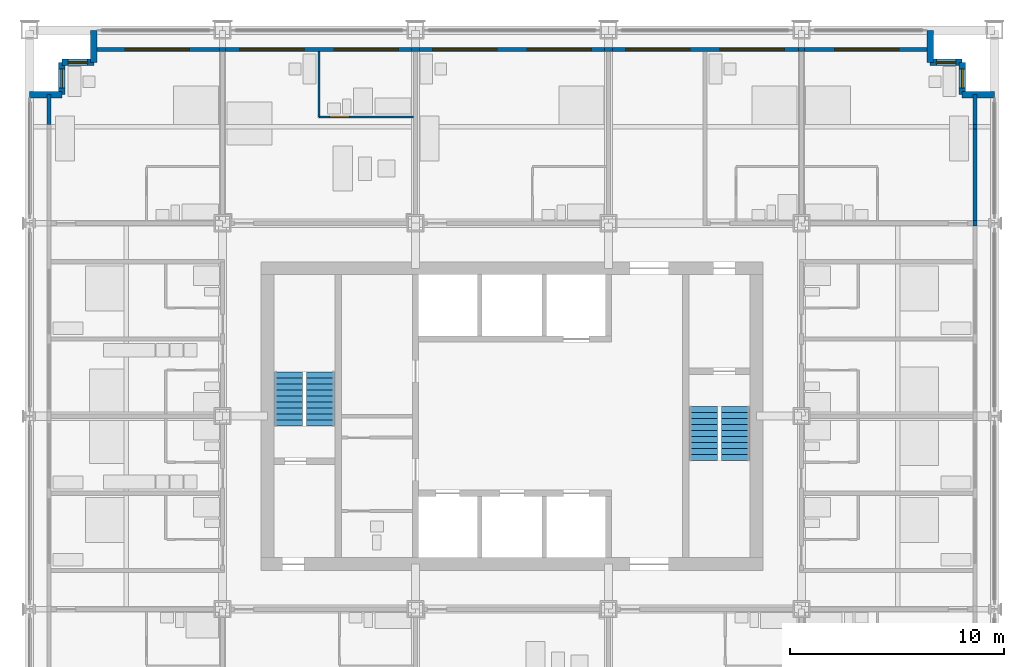
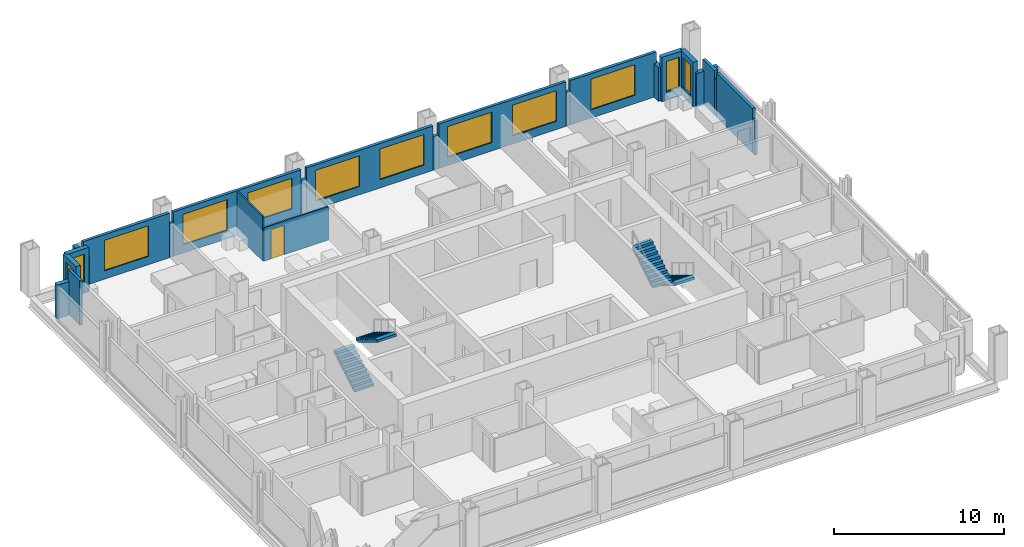
# One storey, part 13 of 16: 24 walls, 12 windows, 4 stair flights, 1 door, 13 openings, 2 elements without a shape of their own.
"""IFC4 building model written with IfcOpenShell, lengths in metres."""

from ifc_helpers import new_model, si_unit, direction, frame, frame_2d, origin, place, context, subcontext, project, spatial, polyline, rectangle, outline, extrude, material, layer, layer_set, type_object, element, fill, aggregate, save


model = new_model("IFC4")

# Units and contexts
model_context = context("Model", 3, precision=1e-05, world=origin(), true_north=direction((0.0, 1.0)))
body_context = subcontext(model_context, "Body", "Model", "MODEL_VIEW")
ifc_project = project(units=[si_unit("LENGTHUNIT", "METRE"), si_unit("AREAUNIT", "SQUARE_METRE"), si_unit("VOLUMEUNIT", "CUBIC_METRE"), si_unit("PLANEANGLEUNIT", "RADIAN"), si_unit("MASSUNIT", "GRAM", prefix="KILO")], contexts=[model_context])

# Site, building, storey
site_placement = place(None, origin())
site = spatial("IfcSite", under=ifc_project, at=site_placement, CompositionType="ELEMENT")
building_placement = place(site_placement, origin())
building = spatial("IfcBuilding", under=site, at=building_placement, Name="Loomwork Tower", CompositionType="ELEMENT")
storey_placement = place(building_placement, frame((0.0, 0.0, 114.60009765625)))
storey = spatial("IfcBuildingStorey", under=building, at=storey_placement, Name="L30", CompositionType="ELEMENT", Elevation=114.60009765625)

# Wall, opening, door
ifc_material_1 = material(Name="Cement board on steel studs", Category="steel")
ifc_layer_1 = layer(ifc_material_1, 0.10009765625)
ifc_layer_set_1 = layer_set([ifc_layer_1], Name="En-suite partition 100")
wall_type_1 = type_object("IfcWallType", Name="En-suite partition 100", PredefinedType="PARTITIONING", material=ifc_layer_set_1)
wall_1_placement = place(storey_placement, frame((13.5, 31.949951171875, 0.0), z_axis=(0.0, 0.0, 1.0), x_axis=(1.0, 0.0, 0.0)))
wall_1 = element("IfcWall", 1, at=wall_1_placement, inside=storey, type_object=wall_type_1, Name="Spa bathroom wall L30 room 7", PredefinedType="PARTITIONING", context=body_context, shape_type="SweptSolid", body=[
    extrude(rectangle(XDim=4.39990234375, YDim=0.10009765625, at=frame_2d((2.199951171875, 0.0))), origin(), (0.0, 0.0, 1.0), 2.40380859375),
])
opening_1_placement = place(wall_1_placement, frame((0.5, 0.0, 0.0)))
opening_1 = element("IfcOpeningElement", 2, at=opening_1_placement, cuts=wall_1, Name="Opening D2", PredefinedType="OPENING", context=body_context, shape_type="SweptSolid", body=[
    extrude(rectangle(XDim=0.89990234375, YDim=2.10009765625, at=frame_2d((0.449951171875, 1.050048828125))), frame((0.0, 0.06005859375, 0.0), z_axis=(0.0, -1.0, 0.0), x_axis=(1.0, 0.0, 0.0)), (0.0, 0.0, 1.0), 0.1201171875),
])
ifc_material_2 = material(Name="Hollow metal door and frame")
door_type = type_object("IfcDoorType", Name="En-suite door 900", OperationType="SINGLE_SWING_LEFT", PredefinedType="DOOR", material=ifc_material_2)
door_placement = place(opening_1_placement, origin())
door = element("IfcDoor", 3, at=door_placement, inside=storey, type_object=door_type, Name="Spa bathroom door room 7", OperationType="SINGLE_SWING_LEFT", OverallHeight=2.10009765625, OverallWidth=0.89990234375, PredefinedType="DOOR", context=body_context, shape_type="SweptSolid", body=[
    extrude(rectangle(XDim=0.89990234375, YDim=2.10009765625, at=frame_2d((0.449951171875, 1.050048828125))), frame((0.0, 0.02490234375, 0.0), z_axis=(0.0, -1.0, 0.0), x_axis=(1.0, 0.0, 0.0)), (0.0, 0.0, 1.0), 0.050048828125),
])
fill(opening_1, door)

# Wall
wall_2_placement = place(storey_placement, frame((13.5, 31.949951171875, 0.0), z_axis=(0.0, 0.0, 1.0), x_axis=(0.0, 1.0, 0.0)))
element("IfcWall", 4, at=wall_2_placement, inside=storey, type_object=wall_type_1, Name="Spa bathroom side wall L30 room 7", PredefinedType="PARTITIONING", context=body_context, shape_type="SweptSolid", body=[
    extrude(rectangle(XDim=3.050048828125, YDim=0.10009765625, at=frame_2d((1.52490234375, 0.0))), origin(), (0.0, 0.0, 1.0), 3.199951171875),
])

# Wall, opening, window
ifc_material_3 = material(Name="Insulated steel stud wall with gypsum lining", Category="steel")
ifc_layer_2 = layer(ifc_material_3, 0.199951171875)
ifc_layer_set_2 = layer_set([ifc_layer_2], Name="Inner skin wall 200")
wall_type_2 = type_object("IfcWallType", Name="Inner skin wall 200", PredefinedType="SOLIDWALL", material=ifc_layer_set_2)
wall_3_placement = place(storey_placement, frame((3.0, 35.10009765625, 0.0), z_axis=(0.0, 0.0, 1.0), x_axis=(1.0, 0.0, 0.0)))
wall_3 = element("IfcWall", 5, at=wall_3_placement, inside=storey, type_object=wall_type_2, Name="Inner skin wall N", PredefinedType="SOLIDWALL", context=body_context, shape_type="SweptSolid", body=[
    extrude(rectangle(XDim=5.86474609375, YDim=0.199951171875, at=frame_2d((2.932373046875, 0.0))), origin(), (0.0, 0.0, 1.0), 3.199951171875),
])
opening_2_placement = place(wall_3_placement, frame((1.449951171875, 0.0, 0.60009765625)))
opening_2 = element("IfcOpeningElement", 6, at=opening_2_placement, cuts=wall_3, Name="Opening CH1", PredefinedType="OPENING", context=body_context, shape_type="SweptSolid", body=[
    extrude(rectangle(XDim=3.0, YDim=2.199951171875, at=frame_2d((1.5, 1.10009765625))), frame((0.0, 0.10986328125, 0.0), z_axis=(0.0, -1.0, 0.0), x_axis=(1.0, 0.0, 0.0)), (0.0, 0.0, 1.0), 0.219970703125),
])
ifc_material_4 = material(Name="Aluminium frame with clear insulated glass", Category="aluminium")
window_type_1 = type_object("IfcWindowType", Name="Chicago window 3000", PartitioningType="TRIPLE_PANEL_VERTICAL", PredefinedType="WINDOW", material=ifc_material_4)
window_1_placement = place(opening_2_placement, origin())
window_1 = element("IfcWindow", 7, at=window_1_placement, inside=storey, type_object=window_type_1, Name="Chicago window L30 bay 6", OverallHeight=2.199951171875, OverallWidth=3.0, PartitioningType="TRIPLE_PANEL_VERTICAL", PredefinedType="WINDOW", context=body_context, shape_type="SweptSolid", body=[
    extrude(rectangle(XDim=3.0, YDim=2.199951171875, at=frame_2d((1.5, 1.10009765625))), frame((0.0, 0.030029296875, 0.0), z_axis=(0.0, -1.0, 0.0), x_axis=(1.0, 0.0, 0.0)), (0.0, 0.0, 1.0), 0.06005859375),
])
fill(opening_2, window_1)

# Walls
wall_4_placement = place(storey_placement, frame((0.89990234375, 31.607421875, 0.0), z_axis=(0.0, 0.0, 1.0), x_axis=(0.0, 1.0, 0.0)))
element("IfcWall", 8, at=wall_4_placement, inside=storey, type_object=wall_type_2, Name="Inner skin wall W bay 11", PredefinedType="SOLIDWALL", context=body_context, shape_type="SweptSolid", body=[
    extrude(rectangle(XDim=1.392578125, YDim=0.199951171875, at=frame_2d((0.6962890625, 0.0))), origin(), (0.0, 0.0, 1.0), 3.199951171875),
])
wall_5_placement = place(storey_placement, frame((8.86474609375, 35.10009765625, 0.0), z_axis=(0.0, 0.0, 1.0), x_axis=(1.0, 0.0, 0.0)))
element("IfcWall", 9, at=wall_5_placement, inside=storey, type_object=wall_type_2, Name="Inner skin wall N bay 2", PredefinedType="SOLIDWALL", context=body_context, shape_type="SweptSolid", body=[
    extrude(rectangle(XDim=0.2705078125, YDim=0.199951171875, at=frame_2d((0.13525390625, 0.0))), origin(), (0.0, 0.0, 1.0), 2.43798828125),
])

# Wall, openings, windows
wall_6_placement = place(storey_placement, frame((9.13525390625, 35.10009765625, 0.0), z_axis=(0.0, 0.0, 1.0), x_axis=(1.0, 0.0, 0.0)))
wall_6 = element("IfcWall", 10, at=wall_6_placement, inside=storey, type_object=wall_type_2, Name="Inner skin wall N bay 3", PredefinedType="SOLIDWALL", context=body_context, shape_type="SweptSolid", body=[
    extrude(rectangle(XDim=8.6708984375, YDim=0.199951171875, at=frame_2d((4.33544921875, 0.0))), origin(), (0.0, 0.0, 1.0), 3.199951171875),
])
opening_3_placement = place(wall_6_placement, frame((0.664794921875, 0.0, 0.60009765625)))
opening_3 = element("IfcOpeningElement", 11, at=opening_3_placement, cuts=wall_6, Name="Opening CH1", PredefinedType="OPENING", context=body_context, shape_type="SweptSolid", body=[
    extrude(rectangle(XDim=3.0, YDim=2.199951171875, at=frame_2d((1.5, 1.10009765625))), frame((0.0, 0.10986328125, 0.0), z_axis=(0.0, -1.0, 0.0), x_axis=(1.0, 0.0, 0.0)), (0.0, 0.0, 1.0), 0.219970703125),
])
opening_4_placement = place(wall_6_placement, frame((5.064697265625, 0.0, 0.60009765625)))
opening_4 = element("IfcOpeningElement", 12, at=opening_4_placement, cuts=wall_6, Name="Opening CH1", PredefinedType="OPENING", context=body_context, shape_type="SweptSolid", body=[
    extrude(rectangle(XDim=3.0, YDim=2.199951171875, at=frame_2d((1.5, 1.10009765625))), frame((0.0, 0.10986328125, 0.0), z_axis=(0.0, -1.0, 0.0), x_axis=(1.0, 0.0, 0.0)), (0.0, 0.0, 1.0), 0.219970703125),
])
window_2_placement = place(opening_3_placement, origin())
window_2 = element("IfcWindow", 13, at=window_2_placement, inside=storey, type_object=window_type_1, Name="Chicago window L30 bay 7", OverallHeight=2.199951171875, OverallWidth=3.0, PartitioningType="TRIPLE_PANEL_VERTICAL", PredefinedType="WINDOW", context=body_context, shape_type="SweptSolid", body=[
    extrude(rectangle(XDim=3.0, YDim=2.199951171875, at=frame_2d((1.5, 1.10009765625))), frame((0.0, 0.030029296875, 0.0), z_axis=(0.0, -1.0, 0.0), x_axis=(1.0, 0.0, 0.0)), (0.0, 0.0, 1.0), 0.06005859375),
])
fill(opening_3, window_2)
window_3_placement = place(opening_4_placement, origin())
window_3 = element("IfcWindow", 14, at=window_3_placement, inside=storey, type_object=window_type_1, Name="Chicago window L30 bay 7", OverallHeight=2.199951171875, OverallWidth=3.0, PartitioningType="TRIPLE_PANEL_VERTICAL", PredefinedType="WINDOW", context=body_context, shape_type="SweptSolid", body=[
    extrude(rectangle(XDim=3.0, YDim=2.199951171875, at=frame_2d((1.5, 1.10009765625))), frame((0.0, 0.030029296875, 0.0), z_axis=(0.0, -1.0, 0.0), x_axis=(1.0, 0.0, 0.0)), (0.0, 0.0, 1.0), 0.06005859375),
])
fill(opening_4, window_3)

# Wall
wall_7_placement = place(storey_placement, frame((17.80615234375, 35.10009765625, 0.0), z_axis=(0.0, 0.0, 1.0), x_axis=(1.0, 0.0, 0.0)))
element("IfcWall", 15, at=wall_7_placement, inside=storey, type_object=wall_type_2, Name="Inner skin wall N bay 4", PredefinedType="SOLIDWALL", context=body_context, shape_type="SweptSolid", body=[
    extrude(rectangle(XDim=0.3876953125, YDim=0.199951171875, at=frame_2d((0.19384765625, 0.0))), origin(), (0.0, 0.0, 1.0), 2.40380859375),
])

# Wall, openings, windows
wall_8_placement = place(storey_placement, frame((18.19384765625, 35.10009765625, 0.0), z_axis=(0.0, 0.0, 1.0), x_axis=(1.0, 0.0, 0.0)))
wall_8 = element("IfcWall", 16, at=wall_8_placement, inside=storey, type_object=wall_type_2, Name="Inner skin wall N bay 5", PredefinedType="SOLIDWALL", context=body_context, shape_type="SweptSolid", body=[
    extrude(rectangle(XDim=8.6123046875, YDim=0.199951171875, at=frame_2d((4.30615234375, 0.0))), origin(), (0.0, 0.0, 1.0), 3.199951171875),
])
opening_5_placement = place(wall_8_placement, frame((0.606201171875, 0.0, 0.60009765625)))
opening_5 = element("IfcOpeningElement", 17, at=opening_5_placement, cuts=wall_8, Name="Opening CH1", PredefinedType="OPENING", context=body_context, shape_type="SweptSolid", body=[
    extrude(rectangle(XDim=3.0, YDim=2.199951171875, at=frame_2d((1.5, 1.10009765625))), frame((0.0, 0.10986328125, 0.0), z_axis=(0.0, -1.0, 0.0), x_axis=(1.0, 0.0, 0.0)), (0.0, 0.0, 1.0), 0.219970703125),
])
opening_6_placement = place(wall_8_placement, frame((5.006103515625, 0.0, 0.60009765625)))
opening_6 = element("IfcOpeningElement", 18, at=opening_6_placement, cuts=wall_8, Name="Opening CH1", PredefinedType="OPENING", context=body_context, shape_type="SweptSolid", body=[
    extrude(rectangle(XDim=3.0, YDim=2.199951171875, at=frame_2d((1.5, 1.10009765625))), frame((0.0, 0.10986328125, 0.0), z_axis=(0.0, -1.0, 0.0), x_axis=(1.0, 0.0, 0.0)), (0.0, 0.0, 1.0), 0.219970703125),
])
window_4_placement = place(opening_5_placement, origin())
window_4 = element("IfcWindow", 19, at=window_4_placement, inside=storey, type_object=window_type_1, Name="Chicago window L30 bay 8", OverallHeight=2.199951171875, OverallWidth=3.0, PartitioningType="TRIPLE_PANEL_VERTICAL", PredefinedType="WINDOW", context=body_context, shape_type="SweptSolid", body=[
    extrude(rectangle(XDim=3.0, YDim=2.199951171875, at=frame_2d((1.5, 1.10009765625))), frame((0.0, 0.030029296875, 0.0), z_axis=(0.0, -1.0, 0.0), x_axis=(1.0, 0.0, 0.0)), (0.0, 0.0, 1.0), 0.06005859375),
])
fill(opening_5, window_4)
window_5_placement = place(opening_6_placement, origin())
window_5 = element("IfcWindow", 20, at=window_5_placement, inside=storey, type_object=window_type_1, Name="Chicago window L30 bay 8", OverallHeight=2.199951171875, OverallWidth=3.0, PartitioningType="TRIPLE_PANEL_VERTICAL", PredefinedType="WINDOW", context=body_context, shape_type="SweptSolid", body=[
    extrude(rectangle(XDim=3.0, YDim=2.199951171875, at=frame_2d((1.5, 1.10009765625))), frame((0.0, 0.030029296875, 0.0), z_axis=(0.0, -1.0, 0.0), x_axis=(1.0, 0.0, 0.0)), (0.0, 0.0, 1.0), 0.06005859375),
])
fill(opening_6, window_5)

# Wall
wall_9_placement = place(storey_placement, frame((26.80615234375, 35.10009765625, 0.0), z_axis=(0.0, 0.0, 1.0), x_axis=(1.0, 0.0, 0.0)))
element("IfcWall", 21, at=wall_9_placement, inside=storey, type_object=wall_type_2, Name="Inner skin wall N bay 6", PredefinedType="SOLIDWALL", context=body_context, shape_type="SweptSolid", body=[
    extrude(rectangle(XDim=0.3876953125, YDim=0.199951171875, at=frame_2d((0.19384765625, 0.0))), origin(), (0.0, 0.0, 1.0), 2.40380859375),
])

# Wall, openings, windows
wall_10_placement = place(storey_placement, frame((27.19384765625, 35.10009765625, 0.0), z_axis=(0.0, 0.0, 1.0), x_axis=(1.0, 0.0, 0.0)))
wall_10 = element("IfcWall", 22, at=wall_10_placement, inside=storey, type_object=wall_type_2, Name="Inner skin wall N bay 7", PredefinedType="SOLIDWALL", context=body_context, shape_type="SweptSolid", body=[
    extrude(rectangle(XDim=8.670654296875, YDim=0.199951171875, at=frame_2d((4.33544921875, 0.0))), origin(), (0.0, 0.0, 1.0), 3.199951171875),
])
opening_7_placement = place(wall_10_placement, frame((0.606201171875, 0.0, 0.60009765625)))
opening_7 = element("IfcOpeningElement", 23, at=opening_7_placement, cuts=wall_10, Name="Opening CH1", PredefinedType="OPENING", context=body_context, shape_type="SweptSolid", body=[
    extrude(rectangle(XDim=3.0, YDim=2.199951171875, at=frame_2d((1.5, 1.10009765625))), frame((0.0, 0.10986328125, 0.0), z_axis=(0.0, -1.0, 0.0), x_axis=(1.0, 0.0, 0.0)), (0.0, 0.0, 1.0), 0.219970703125),
])
opening_8_placement = place(wall_10_placement, frame((5.006103515625, 0.0, 0.60009765625)))
opening_8 = element("IfcOpeningElement", 24, at=opening_8_placement, cuts=wall_10, Name="Opening CH1", PredefinedType="OPENING", context=body_context, shape_type="SweptSolid", body=[
    extrude(rectangle(XDim=3.0, YDim=2.199951171875, at=frame_2d((1.5, 1.10009765625))), frame((0.0, 0.10986328125, 0.0), z_axis=(0.0, -1.0, 0.0), x_axis=(1.0, 0.0, 0.0)), (0.0, 0.0, 1.0), 0.219970703125),
])
window_6_placement = place(opening_7_placement, origin())
window_6 = element("IfcWindow", 25, at=window_6_placement, inside=storey, type_object=window_type_1, Name="Chicago window L30 bay 9", OverallHeight=2.199951171875, OverallWidth=3.0, PartitioningType="TRIPLE_PANEL_VERTICAL", PredefinedType="WINDOW", context=body_context, shape_type="SweptSolid", body=[
    extrude(rectangle(XDim=3.0, YDim=2.199951171875, at=frame_2d((1.5, 1.10009765625))), frame((0.0, 0.030029296875, 0.0), z_axis=(0.0, -1.0, 0.0), x_axis=(1.0, 0.0, 0.0)), (0.0, 0.0, 1.0), 0.06005859375),
])
fill(opening_7, window_6)
window_7_placement = place(opening_8_placement, origin())
window_7 = element("IfcWindow", 26, at=window_7_placement, inside=storey, type_object=window_type_1, Name="Chicago window L30 bay 9", OverallHeight=2.199951171875, OverallWidth=3.0, PartitioningType="TRIPLE_PANEL_VERTICAL", PredefinedType="WINDOW", context=body_context, shape_type="SweptSolid", body=[
    extrude(rectangle(XDim=3.0, YDim=2.199951171875, at=frame_2d((1.5, 1.10009765625))), frame((0.0, 0.030029296875, 0.0), z_axis=(0.0, -1.0, 0.0), x_axis=(1.0, 0.0, 0.0)), (0.0, 0.0, 1.0), 0.06005859375),
])
fill(opening_8, window_7)

# Wall
wall_11_placement = place(storey_placement, frame((35.864501953125, 35.10009765625, 0.0), z_axis=(0.0, 0.0, 1.0), x_axis=(1.0, 0.0, 0.0)))
element("IfcWall", 27, at=wall_11_placement, inside=storey, type_object=wall_type_2, Name="Inner skin wall N bay 8", PredefinedType="SOLIDWALL", context=body_context, shape_type="SweptSolid", body=[
    extrude(rectangle(XDim=0.27099609375, YDim=0.199951171875, at=frame_2d((0.135498046875, 0.0))), origin(), (0.0, 0.0, 1.0), 2.43798828125),
])

# Wall, opening, window
wall_12_placement = place(storey_placement, frame((36.135498046875, 35.10009765625, 0.0), z_axis=(0.0, 0.0, 1.0), x_axis=(1.0, 0.0, 0.0)))
wall_12 = element("IfcWall", 28, at=wall_12_placement, inside=storey, type_object=wall_type_2, Name="Inner skin wall N bay 9", PredefinedType="SOLIDWALL", context=body_context, shape_type="SweptSolid", body=[
    extrude(rectangle(XDim=5.864501953125, YDim=0.199951171875, at=frame_2d((2.93212890625, 0.0))), origin(), (0.0, 0.0, 1.0), 3.199951171875),
])
opening_9_placement = place(wall_12_placement, frame((1.41455078125, 0.0, 0.60009765625)))
opening_9 = element("IfcOpeningElement", 29, at=opening_9_placement, cuts=wall_12, Name="Opening CH1", PredefinedType="OPENING", context=body_context, shape_type="SweptSolid", body=[
    extrude(rectangle(XDim=3.0, YDim=2.199951171875, at=frame_2d((1.5, 1.10009765625))), frame((0.0, 0.10986328125, 0.0), z_axis=(0.0, -1.0, 0.0), x_axis=(1.0, 0.0, 0.0)), (0.0, 0.0, 1.0), 0.219970703125),
])
window_8_placement = place(opening_9_placement, origin())
window_8 = element("IfcWindow", 30, at=window_8_placement, inside=storey, type_object=window_type_1, Name="Chicago window L30 bay 10", OverallHeight=2.199951171875, OverallWidth=3.0, PartitioningType="TRIPLE_PANEL_VERTICAL", PredefinedType="WINDOW", context=body_context, shape_type="SweptSolid", body=[
    extrude(rectangle(XDim=3.0, YDim=2.199951171875, at=frame_2d((1.5, 1.10009765625))), frame((0.0, 0.030029296875, 0.0), z_axis=(0.0, -1.0, 0.0), x_axis=(1.0, 0.0, 0.0)), (0.0, 0.0, 1.0), 0.06005859375),
])
fill(opening_9, window_8)

# Walls
wall_13_placement = place(storey_placement, frame((44.10009765625, 26.86474609375, 0.0), z_axis=(0.0, 0.0, 1.0), x_axis=(0.0, 1.0, 0.0)))
element("IfcWall", 31, at=wall_13_placement, inside=storey, type_object=wall_type_2, Name="Inner skin wall E bay 8", PredefinedType="SOLIDWALL", context=body_context, shape_type="SweptSolid", body=[
    extrude(rectangle(XDim=0.2705078125, YDim=0.199951171875, at=frame_2d((0.13525390625, 0.0))), origin(), (0.0, 0.0, 1.0), 2.43798828125),
])
wall_14_placement = place(storey_placement, frame((44.10009765625, 27.13525390625, 0.0), z_axis=(0.0, 0.0, 1.0), x_axis=(0.0, 1.0, 0.0)))
element("IfcWall", 32, at=wall_14_placement, inside=storey, type_object=wall_type_2, Name="Inner skin wall E bay 9", PredefinedType="SOLIDWALL", context=body_context, shape_type="SweptSolid", body=[
    extrude(rectangle(XDim=4.25732421875, YDim=0.199951171875, at=frame_2d((2.128662109375, 0.0))), origin(), (0.0, 0.0, 1.0), 3.199951171875),
])
wall_15_placement = place(storey_placement, frame((44.10009765625, 31.392578125, 0.0), z_axis=(0.0, 0.0, 1.0), x_axis=(0.0, 1.0, 0.0)))
element("IfcWall", 33, at=wall_15_placement, inside=storey, type_object=wall_type_2, Name="Inner skin wall E bay 10", PredefinedType="SOLIDWALL", context=body_context, shape_type="SweptSolid", body=[
    extrude(rectangle(XDim=0.21484375, YDim=0.199951171875, at=frame_2d((0.107421875, 0.0))), origin(), (0.0, 0.0, 1.0), 2.660888671875),
])
wall_16_placement = place(storey_placement, frame((44.10009765625, 31.607421875, 0.0), z_axis=(0.0, 0.0, 1.0), x_axis=(0.0, 1.0, 0.0)))
element("IfcWall", 34, at=wall_16_placement, inside=storey, type_object=wall_type_2, Name="Inner skin wall E bay 11", PredefinedType="SOLIDWALL", context=body_context, shape_type="SweptSolid", body=[
    extrude(rectangle(XDim=1.392578125, YDim=0.199951171875, at=frame_2d((0.6962890625, 0.0))), origin(), (0.0, 0.0, 1.0), 3.199951171875),
])
ifc_material_5 = material(Name="Limestone on concrete masonry", Category="masonry")
ifc_layer_3 = layer(ifc_material_5, 0.300048828125)
ifc_layer_set_3 = layer_set([ifc_layer_3], Name="Limestone corner wall 300")
wall_type_3 = type_object("IfcWallType", Name="Limestone corner wall 300", PredefinedType="SOLIDWALL", material=ifc_layer_set_3)
wall_17_placement = place(storey_placement, frame((45.0, 33.0, 0.0), z_axis=(0.0, 0.0, 1.0), x_axis=(-1.0, 0.0, 0.0)))
element("IfcWall", 35, at=wall_17_placement, inside=storey, type_object=wall_type_3, Name="Stone corner wall NE 1", PredefinedType="SOLIDWALL", context=body_context, shape_type="SweptSolid", body=[
    extrude(rectangle(XDim=1.5, YDim=0.300048828125, at=frame_2d((0.75, 0.0))), origin(), (0.0, 0.0, 1.0), 2.419921875),
])

# Wall, opening, window
wall_18_placement = place(storey_placement, frame((43.5, 33.0, 0.0), z_axis=(0.0, 0.0, 1.0), x_axis=(0.0, 1.0, 0.0)))
wall_18 = element("IfcWall", 36, at=wall_18_placement, inside=storey, type_object=wall_type_3, Name="Stone corner wall NE 2", PredefinedType="SOLIDWALL", context=body_context, shape_type="SweptSolid", body=[
    extrude(rectangle(XDim=1.5, YDim=0.300048828125, at=frame_2d((0.75, 0.0))), origin(), (0.0, 0.0, 1.0), 3.199951171875),
])
opening_10_placement = place(wall_18_placement, frame((0.300048828125, 0.0, 0.60009765625)))
opening_10 = element("IfcOpeningElement", 37, at=opening_10_placement, cuts=wall_18, Name="Opening CH2", PredefinedType="OPENING", context=body_context, shape_type="SweptSolid", body=[
    extrude(rectangle(XDim=0.89990234375, YDim=2.199951171875, at=frame_2d((0.449951171875, 1.10009765625))), frame((0.0, 0.159912109375, 0.0), z_axis=(0.0, -1.0, 0.0), x_axis=(1.0, 0.0, 0.0)), (0.0, 0.0, 1.0), 0.320068359375),
])
ifc_material_6 = material(Name="Aluminium frame with clear insulated glass", Category="aluminium")
window_type_2 = type_object("IfcWindowType", Name="Corner window 900", PartitioningType="SINGLE_PANEL", PredefinedType="WINDOW", material=ifc_material_6)
window_9_placement = place(opening_10_placement, origin())
window_9 = element("IfcWindow", 38, at=window_9_placement, inside=storey, type_object=window_type_2, Name="Corner window NE", OverallHeight=2.199951171875, OverallWidth=0.89990234375, PartitioningType="SINGLE_PANEL", PredefinedType="WINDOW", context=body_context, shape_type="SweptSolid", body=[
    extrude(rectangle(XDim=0.89990234375, YDim=2.199951171875, at=frame_2d((0.449951171875, 1.10009765625))), frame((0.0, 0.030029296875, 0.0), z_axis=(0.0, -1.0, 0.0), x_axis=(1.0, 0.0, 0.0)), (0.0, 0.0, 1.0), 0.06005859375),
])
fill(opening_10, window_9)

wall_19_placement = place(storey_placement, frame((43.5, 34.5, 0.0), z_axis=(0.0, 0.0, 1.0), x_axis=(-1.0, 0.0, 0.0)))
wall_19 = element("IfcWall", 39, at=wall_19_placement, inside=storey, type_object=wall_type_3, Name="Stone corner wall NE 3", PredefinedType="SOLIDWALL", context=body_context, shape_type="SweptSolid", body=[
    extrude(rectangle(XDim=1.5, YDim=0.300048828125, at=frame_2d((0.75, 0.0))), origin(), (0.0, 0.0, 1.0), 3.199951171875),
])
opening_11_placement = place(wall_19_placement, frame((0.300048828125, 0.0, 0.60009765625)))
opening_11 = element("IfcOpeningElement", 40, at=opening_11_placement, cuts=wall_19, Name="Opening CH2", PredefinedType="OPENING", context=body_context, shape_type="SweptSolid", body=[
    extrude(rectangle(XDim=0.89990234375, YDim=2.199951171875, at=frame_2d((0.449951171875, 1.10009765625))), frame((0.0, 0.159912109375, 0.0), z_axis=(0.0, -1.0, 0.0), x_axis=(1.0, 0.0, 0.0)), (0.0, 0.0, 1.0), 0.320068359375),
])
window_10_placement = place(opening_11_placement, origin())
window_10 = element("IfcWindow", 41, at=window_10_placement, inside=storey, type_object=window_type_2, Name="Corner window NE", OverallHeight=2.199951171875, OverallWidth=0.89990234375, PartitioningType="SINGLE_PANEL", PredefinedType="WINDOW", context=body_context, shape_type="SweptSolid", body=[
    extrude(rectangle(XDim=0.89990234375, YDim=2.199951171875, at=frame_2d((0.449951171875, 1.10009765625))), frame((0.0, 0.030029296875, 0.0), z_axis=(0.0, -1.0, 0.0), x_axis=(1.0, 0.0, 0.0)), (0.0, 0.0, 1.0), 0.06005859375),
])
fill(opening_11, window_10)

# Walls
for number, where, z_axis, x_axis, name in (
    (42, (42.0, 34.5, 0.0), (0.0, 0.0, 1.0), (0.0, 1.0, 0.0), "Stone corner wall NE 4"),
    (43, (3.0, 36.0, 0.0), (0.0, 0.0, 1.0), (0.0, -1.0, 0.0), "Stone corner wall NW 1"),
):
    element("IfcWall", number, at=place(storey_placement, frame(where, z_axis=z_axis, x_axis=x_axis)), inside=storey, type_object=wall_type_3, Name=name, PredefinedType="SOLIDWALL", context=body_context, shape_type="SweptSolid", body=[
        extrude(rectangle(XDim=1.5, YDim=0.300048828125, at=frame_2d((0.75, 0.0))), origin(), (0.0, 0.0, 1.0), 2.419921875),
    ])

# Wall, opening, window
wall_20_placement = place(storey_placement, frame((3.0, 34.5, 0.0), z_axis=(0.0, 0.0, 1.0), x_axis=(-1.0, 0.0, 0.0)))
wall_20 = element("IfcWall", 44, at=wall_20_placement, inside=storey, type_object=wall_type_3, Name="Stone corner wall NW 2", PredefinedType="SOLIDWALL", context=body_context, shape_type="SweptSolid", body=[
    extrude(rectangle(XDim=1.5, YDim=0.300048828125, at=frame_2d((0.75, 0.0))), origin(), (0.0, 0.0, 1.0), 3.199951171875),
])
opening_12_placement = place(wall_20_placement, frame((0.300048828125, 0.0, 0.60009765625)))
opening_12 = element("IfcOpeningElement", 45, at=opening_12_placement, cuts=wall_20, Name="Opening CH2", PredefinedType="OPENING", context=body_context, shape_type="SweptSolid", body=[
    extrude(rectangle(XDim=0.89990234375, YDim=2.199951171875, at=frame_2d((0.449951171875, 1.10009765625))), frame((0.0, 0.159912109375, 0.0), z_axis=(0.0, -1.0, 0.0), x_axis=(1.0, 0.0, 0.0)), (0.0, 0.0, 1.0), 0.320068359375),
])
window_11_placement = place(opening_12_placement, origin())
window_11 = element("IfcWindow", 46, at=window_11_placement, inside=storey, type_object=window_type_2, Name="Corner window NW", OverallHeight=2.199951171875, OverallWidth=0.89990234375, PartitioningType="SINGLE_PANEL", PredefinedType="WINDOW", context=body_context, shape_type="SweptSolid", body=[
    extrude(rectangle(XDim=0.89990234375, YDim=2.199951171875, at=frame_2d((0.449951171875, 1.10009765625))), frame((0.0, 0.030029296875, 0.0), z_axis=(0.0, -1.0, 0.0), x_axis=(1.0, 0.0, 0.0)), (0.0, 0.0, 1.0), 0.06005859375),
])
fill(opening_12, window_11)

wall_21_placement = place(storey_placement, frame((1.5, 34.5, 0.0), z_axis=(0.0, 0.0, 1.0), x_axis=(0.0, -1.0, 0.0)))
wall_21 = element("IfcWall", 47, at=wall_21_placement, inside=storey, type_object=wall_type_3, Name="Stone corner wall NW 3", PredefinedType="SOLIDWALL", context=body_context, shape_type="SweptSolid", body=[
    extrude(rectangle(XDim=1.5, YDim=0.300048828125, at=frame_2d((0.75, 0.0))), origin(), (0.0, 0.0, 1.0), 3.199951171875),
])
opening_13_placement = place(wall_21_placement, frame((0.300048828125, 0.0, 0.60009765625)))
opening_13 = element("IfcOpeningElement", 48, at=opening_13_placement, cuts=wall_21, Name="Opening CH2", PredefinedType="OPENING", context=body_context, shape_type="SweptSolid", body=[
    extrude(rectangle(XDim=0.89990234375, YDim=2.199951171875, at=frame_2d((0.449951171875, 1.10009765625))), frame((0.0, 0.159912109375, 0.0), z_axis=(0.0, -1.0, 0.0), x_axis=(1.0, 0.0, 0.0)), (0.0, 0.0, 1.0), 0.320068359375),
])
window_12_placement = place(opening_13_placement, origin())
window_12 = element("IfcWindow", 49, at=window_12_placement, inside=storey, type_object=window_type_2, Name="Corner window NW", OverallHeight=2.199951171875, OverallWidth=0.89990234375, PartitioningType="SINGLE_PANEL", PredefinedType="WINDOW", context=body_context, shape_type="SweptSolid", body=[
    extrude(rectangle(XDim=0.89990234375, YDim=2.199951171875, at=frame_2d((0.449951171875, 1.10009765625))), frame((0.0, 0.030029296875, 0.0), z_axis=(0.0, -1.0, 0.0), x_axis=(1.0, 0.0, 0.0)), (0.0, 0.0, 1.0), 0.06005859375),
])
fill(opening_13, window_12)

# Wall
wall_22_placement = place(storey_placement, frame((1.5, 33.0, 0.0), z_axis=(0.0, 0.0, 1.0), x_axis=(-1.0, 0.0, 0.0)))
element("IfcWall", 50, at=wall_22_placement, inside=storey, type_object=wall_type_3, Name="Stone corner wall NW 4", PredefinedType="SOLIDWALL", context=body_context, shape_type="SweptSolid", body=[
    extrude(rectangle(XDim=1.5, YDim=0.300048828125, at=frame_2d((0.75, 0.0))), origin(), (0.0, 0.0, 1.0), 2.419921875),
])

# Stair, stair flights
ifc_material_7 = material(Name="Concrete 5000 psi (34 MPa) precast stair", Category="concrete")
stair_type_1 = type_object("IfcStairType", Name="Stair ST-A 20 risers 2850 wide", PredefinedType="HALF_TURN_STAIR", material=ifc_material_7)
stair_1_placement = place(storey_placement, origin())
stair_1 = element("IfcStair", 51, at=stair_1_placement, inside=storey, type_object=stair_type_1, Name="Stair A L30", PredefinedType="HALF_TURN_STAIR")
ifc_material_8 = material(Name="Concrete 5000 psi (34 MPa) precast stair", Category="concrete")
stair_flight_type_1 = type_object("IfcStairFlightType", Name="Stair flight ST-A 10 risers 1300 wide", PredefinedType="STRAIGHT", material=ifc_material_8)
stair_flight_1_placement = place(storey_placement, frame((12.074951171875, 17.550048828125, 0.0), z_axis=(0.0, 0.0, 1.0), x_axis=(0.0, 1.0, 0.0)))
stair_flight_1 = element("IfcStairFlight", 52, at=stair_flight_1_placement, type_object=stair_flight_type_1, Name="ST-A flight 1", NumberOfRisers=10, NumberOfTreads=9, PredefinedType="STRAIGHT", RiserHeight=0.17, TreadLength=0.28, context=body_context, shape_type="SweptSolid", body=[
    extrude(outline(polyline([(0.0, 0.0), (0.0, 0.169921875), (0.280029296875, 0.169921875), (0.280029296875, 0.340087890625), (0.56005859375, 0.340087890625), (0.56005859375, 0.510009765625), (0.840087890625, 0.510009765625), (0.840087890625, 0.679931640625), (1.1201171875, 0.679931640625), (1.1201171875, 0.85009765625), (1.39990234375, 0.85009765625), (1.39990234375, 1.02001953125), (1.679931640625, 1.02001953125), (1.679931640625, 1.18994140625), (1.9599609375, 1.18994140625), (1.9599609375, 1.360107421875), (2.239990234375, 1.360107421875), (2.239990234375, 1.530029296875), (2.52001953125, 1.530029296875), (2.52001953125, 1.699951171875), (2.52001953125, 1.354736328125), (0.288818359375, 0.0), (0.0, 0.0)])), frame((0.0, 0.64990234375, 0.0), z_axis=(0.0, -1.0, 0.0), x_axis=(1.0, 0.0, 0.0)), (0.0, 0.0, 1.0), 1.300048828125),
])
stair_flight_2_placement = place(storey_placement, frame((13.574951171875, 20.070068359375, 1.699951171875), z_axis=(0.0, 0.0, 1.0), x_axis=(0.0, -1.0, 0.0)))
stair_flight_2 = element("IfcStairFlight", 53, at=stair_flight_2_placement, type_object=stair_flight_type_1, Name="ST-A flight 2", NumberOfRisers=10, NumberOfTreads=9, PredefinedType="STRAIGHT", RiserHeight=0.17, TreadLength=0.28, context=body_context, shape_type="SweptSolid", body=[
    extrude(outline(polyline([(0.0, 0.0), (0.0, 0.169921875), (0.280029296875, 0.169921875), (0.280029296875, 0.340087890625), (0.56005859375, 0.340087890625), (0.56005859375, 0.510009765625), (0.840087890625, 0.510009765625), (0.840087890625, 0.679931640625), (1.1201171875, 0.679931640625), (1.1201171875, 0.85009765625), (1.39990234375, 0.85009765625), (1.39990234375, 1.02001953125), (1.679931640625, 1.02001953125), (1.679931640625, 1.18994140625), (1.9599609375, 1.18994140625), (1.9599609375, 1.360107421875), (2.239990234375, 1.360107421875), (2.239990234375, 1.530029296875), (2.52001953125, 1.530029296875), (2.52001953125, 1.699951171875), (2.52001953125, 1.354736328125), (0.288818359375, 0.0), (0.0, 0.0)])), frame((0.0, 0.64990234375, 0.0), z_axis=(0.0, -1.0, 0.0), x_axis=(1.0, 0.0, 0.0)), (0.0, 0.0, 1.0), 1.300048828125),
])
aggregate(stair_1, [stair_flight_1, stair_flight_2])

ifc_material_9 = material(Name="Concrete 5000 psi (34 MPa) precast stair", Category="concrete")
stair_type_2 = type_object("IfcStairType", Name="Stair ST-B 20 risers 2850 wide", PredefinedType="HALF_TURN_STAIR", material=ifc_material_9)
stair_2_placement = place(storey_placement, origin())
stair_2 = element("IfcStair", 54, at=stair_2_placement, inside=storey, type_object=stair_type_2, Name="Stair B L30", PredefinedType="HALF_TURN_STAIR")
ifc_material_10 = material(Name="Concrete 5000 psi (34 MPa) precast stair", Category="concrete")
stair_flight_type_2 = type_object("IfcStairFlightType", Name="Stair flight ST-B 10 risers 1300 wide", PredefinedType="STRAIGHT", material=ifc_material_10)
stair_flight_3_placement = place(storey_placement, frame((32.925048828125, 18.449951171875, 0.0), z_axis=(0.0, 0.0, 1.0), x_axis=(0.0, -1.0, 0.0)))
stair_flight_3 = element("IfcStairFlight", 55, at=stair_flight_3_placement, type_object=stair_flight_type_2, Name="ST-B flight 1", NumberOfRisers=10, NumberOfTreads=9, PredefinedType="STRAIGHT", RiserHeight=0.17, TreadLength=0.28, context=body_context, shape_type="SweptSolid", body=[
    extrude(outline(polyline([(0.0, 0.0), (0.0, 0.169921875), (0.280029296875, 0.169921875), (0.280029296875, 0.340087890625), (0.56005859375, 0.340087890625), (0.56005859375, 0.510009765625), (0.840087890625, 0.510009765625), (0.840087890625, 0.679931640625), (1.1201171875, 0.679931640625), (1.1201171875, 0.85009765625), (1.39990234375, 0.85009765625), (1.39990234375, 1.02001953125), (1.679931640625, 1.02001953125), (1.679931640625, 1.18994140625), (1.9599609375, 1.18994140625), (1.9599609375, 1.360107421875), (2.239990234375, 1.360107421875), (2.239990234375, 1.530029296875), (2.52001953125, 1.530029296875), (2.52001953125, 1.699951171875), (2.52001953125, 1.354736328125), (0.288818359375, 0.0), (0.0, 0.0)])), frame((0.0, 0.64990234375, 0.0), z_axis=(0.0, -1.0, 0.0), x_axis=(1.0, 0.0, 0.0)), (0.0, 0.0, 1.0), 1.300048828125),
])
stair_flight_4_placement = place(storey_placement, frame((31.425048828125, 15.929931640625, 1.699951171875), z_axis=(0.0, 0.0, 1.0), x_axis=(0.0, 1.0, 0.0)))
stair_flight_4 = element("IfcStairFlight", 56, at=stair_flight_4_placement, type_object=stair_flight_type_2, Name="ST-B flight 2", NumberOfRisers=10, NumberOfTreads=9, PredefinedType="STRAIGHT", RiserHeight=0.17, TreadLength=0.28, context=body_context, shape_type="SweptSolid", body=[
    extrude(outline(polyline([(0.0, 0.0), (0.0, 0.169921875), (0.280029296875, 0.169921875), (0.280029296875, 0.340087890625), (0.56005859375, 0.340087890625), (0.56005859375, 0.510009765625), (0.840087890625, 0.510009765625), (0.840087890625, 0.679931640625), (1.1201171875, 0.679931640625), (1.1201171875, 0.85009765625), (1.39990234375, 0.85009765625), (1.39990234375, 1.02001953125), (1.679931640625, 1.02001953125), (1.679931640625, 1.18994140625), (1.9599609375, 1.18994140625), (1.9599609375, 1.360107421875), (2.239990234375, 1.360107421875), (2.239990234375, 1.530029296875), (2.52001953125, 1.530029296875), (2.52001953125, 1.699951171875), (2.52001953125, 1.354736328125), (0.288818359375, 0.0), (0.0, 0.0)])), frame((0.0, 0.64990234375, 0.0), z_axis=(0.0, -1.0, 0.0), x_axis=(1.0, 0.0, 0.0)), (0.0, 0.0, 1.0), 1.300048828125),
])
aggregate(stair_2, [stair_flight_3, stair_flight_4])

save(model, "model.ifc")
